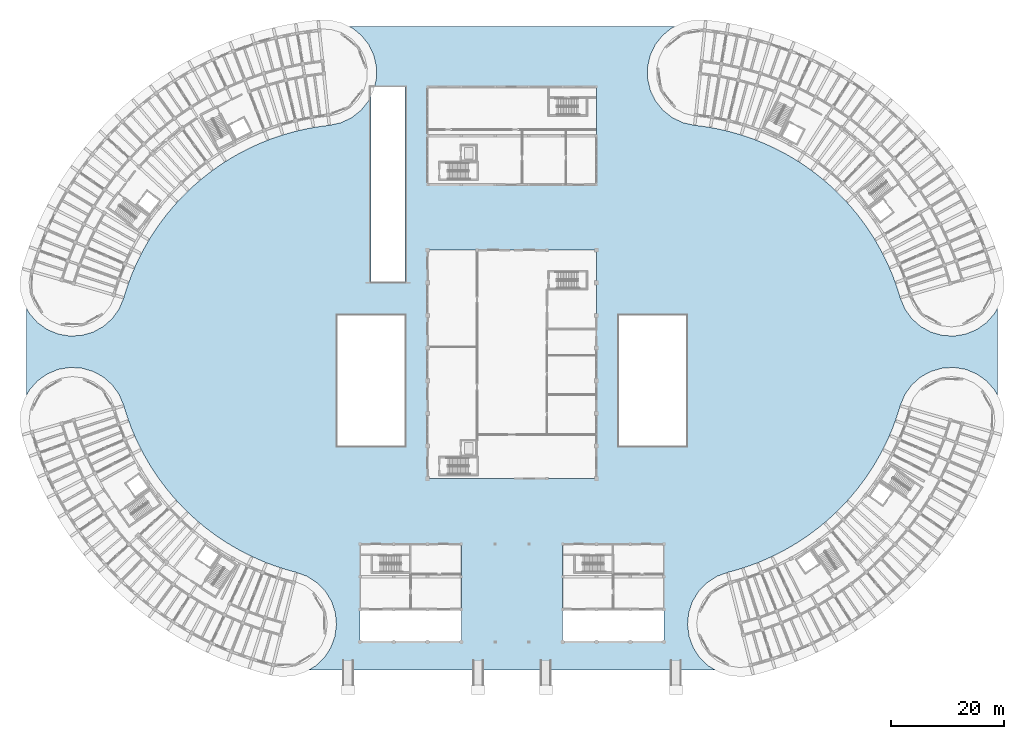
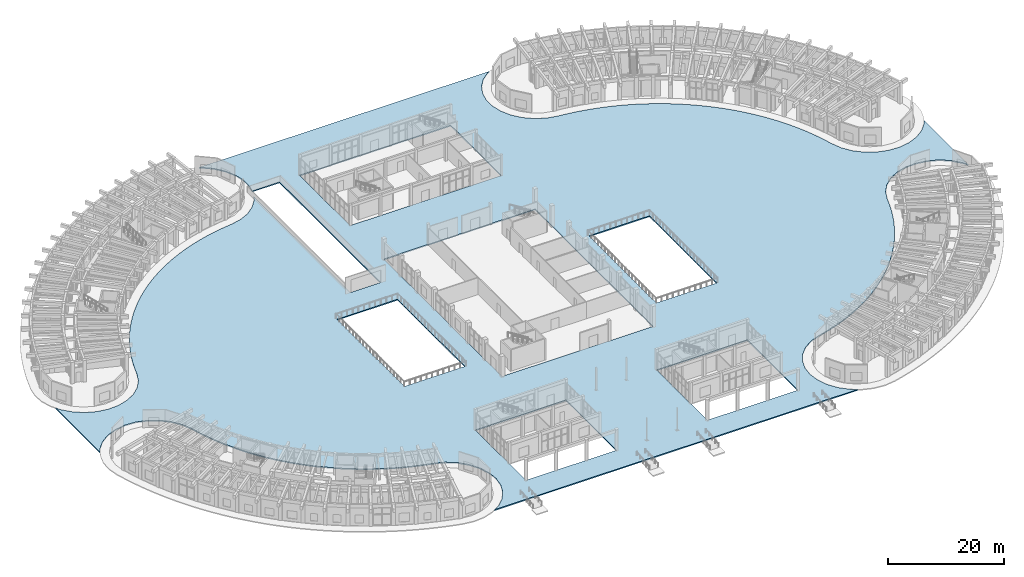
# One storey, part 74 of 132: 1 slab.
"""IFC4 building model written with IfcOpenShell, lengths in metres."""

from ifc_helpers import new_model, si_unit, direction, frame, origin, place, context, subcontext, project, spatial, polyline, outline, extrude, material, layer, layer_set, type_object, element, save


model = new_model("IFC4")

# Units and contexts
model_context = context("Model", 3, precision=1e-05, world=origin(), true_north=direction((0.0, 1.0)))
body_context = subcontext(model_context, "Body", "Model", "MODEL_VIEW")
ifc_project = project(units=[si_unit("LENGTHUNIT", "METRE"), si_unit("AREAUNIT", "SQUARE_METRE"), si_unit("VOLUMEUNIT", "CUBIC_METRE"), si_unit("PLANEANGLEUNIT", "RADIAN"), si_unit("MASSUNIT", "GRAM", prefix="KILO")], contexts=[model_context])

# Site, building, storey
site_placement = place(None, origin())
site = spatial("IfcSite", under=ifc_project, at=site_placement, CompositionType="ELEMENT")
building_placement = place(site_placement, origin())
building = spatial("IfcBuilding", under=site, at=building_placement, Name="Tanwirah Colonnade Gardens", CompositionType="ELEMENT")
storey_placement = place(building_placement, origin())
storey = spatial("IfcBuildingStorey", under=building, at=storey_placement, Name="L00", CompositionType="ELEMENT", Elevation=0.0)

# Slab
ifc_material = material(Name="Precast concrete C40/50", Category="concrete")
ifc_layer = layer(ifc_material, 0.22998046875)
ifc_layer_set = layer_set([ifc_layer], Name="Precast concrete C40/50")
slab_type = type_object("IfcSlabType", Name="SL-ARC-230", PredefinedType="FLOOR", material=ifc_layer_set)
slab_placement = place(storey_placement, frame((0.0, 0.0, -0.22998046875)))
element("IfcSlab", 1, at=slab_placement, inside=storey, type_object=slab_type, Name="Shaded Colonnade and Forecourt Deck Slab 1", PredefinedType="FLOOR", context=body_context, shape_type="SweptSolid", body=[
    extrude(outline(polyline([(10.471923828125, 66.292236328125), (8.753662109375, 67.508056640625), (8.7529296875, 67.5087890625), (8.751953125, 67.509521484375), (7.347412109375, 69.077392578125), (7.3466796875, 69.078369140625), (7.34619140625, 69.079345703125), (6.815673828125, 70.0361328125), (6.815673828125, 54.663818359375), (7.34619140625, 55.620849609375), (7.3466796875, 55.621826171875), (7.347412109375, 55.62255859375), (8.751953125, 57.1904296875), (8.7529296875, 57.191162109375), (8.753662109375, 57.19189453125), (10.471923828125, 58.40771484375), (10.472900390625, 58.408447265625), (10.473876953125, 58.408935546875), (12.419677734375, 59.2119140625), (12.420654296875, 59.21240234375), (12.421630859375, 59.212646484375), (14.497314453125, 59.5625), (14.49853515625, 59.562744140625), (14.49951171875, 59.562744140625), (16.60107421875, 59.442138671875), (16.602294921875, 59.44189453125), (16.603271484375, 59.441650390625), (18.625244140625, 58.8564453125), (18.626220703125, 58.85595703125), (18.627197265625, 58.85546875), (20.46826171875, 57.835205078125), (20.46923828125, 57.83447265625), (20.47021484375, 57.833740234375), (22.037841796875, 56.42919921875), (22.038818359375, 56.428466796875), (22.039306640625, 56.427490234375), (23.25537109375, 54.709228515625), (23.255859375, 54.70849609375), (23.25634765625, 54.707275390625), (24.0595703125, 52.76171875), (24.059814453125, 52.7607421875), (24.4658203125, 51.42724609375), (24.915283203125, 50.108154296875), (25.40771484375, 48.80419921875), (25.9423828125, 47.517333984375), (26.51904296875, 46.24853515625), (27.13671875, 44.999267578125), (27.795166015625, 43.770751953125), (28.4931640625, 42.564453125), (29.23046875, 41.3818359375), (30.006103515625, 40.223876953125), (30.819091796875, 39.091796875), (31.668701171875, 37.987060546875), (32.553955078125, 36.91064453125), (33.47412109375, 35.864013671875), (34.427978515625, 34.84765625), (35.41455078125, 33.86328125), (36.432861328125, 32.91162109375), (37.481689453125, 31.993896484375), (38.559814453125, 31.11083984375), (39.66650390625, 30.263671875), (40.80029296875, 29.453125), (41.9599609375, 28.68017578125), (43.144287109375, 27.945556640625), (44.35205078125, 27.25), (45.581787109375, 26.59423828125), (46.83251953125, 25.979248046875), (48.1025390625, 25.405517578125), (49.390625, 24.87353515625), (50.695556640625, 24.384033203125), (52.015869140625, 23.9375), (53.349853515625, 23.534423828125), (54.69677734375, 23.175048828125), (54.697509765625, 23.1748046875), (56.670166015625, 22.440185546875), (56.671142578125, 22.439697265625), (56.672119140625, 22.43896484375), (58.431884765625, 21.283935546875), (58.4326171875, 21.283203125), (58.43359375, 21.282470703125), (59.891845703125, 19.7646484375), (59.892578125, 19.763671875), (59.893310546875, 19.762939453125), (60.977294921875, 17.95849609375), (60.97802734375, 17.95751953125), (60.978271484375, 17.95654296875), (61.6337890625, 15.956298828125), (61.634033203125, 15.955078125), (61.63427734375, 15.9541015625), (61.828125, 13.858154296875), (61.828125, 13.85693359375), (61.828125, 13.855712890625), (61.55078125, 11.769287109375), (61.550537109375, 11.76806640625), (61.55029296875, 11.76708984375), (60.8154296875, 9.79443359375), (60.81494140625, 9.79345703125), (60.814453125, 9.79248046875), (59.6591796875, 8.032958984375), (59.65869140625, 8.031982421875), (59.657958984375, 8.03125), (58.14013671875, 6.57275390625), (58.13916015625, 6.572021484375), (58.13818359375, 6.5712890625), (56.930908203125, 5.845947265625), (129.069091796875, 5.845947265625), (127.86181640625, 6.5712890625), (127.86083984375, 6.572021484375), (127.85986328125, 6.57275390625), (126.342041015625, 8.03125), (126.34130859375, 8.031982421875), (126.3408203125, 8.032958984375), (125.185546875, 9.79248046875), (125.18505859375, 9.79345703125), (125.1845703125, 9.79443359375), (124.44970703125, 11.76708984375), (124.449462890625, 11.76806640625), (124.44921875, 11.769287109375), (124.171875, 13.855712890625), (124.171875, 13.85693359375), (124.171875, 13.858154296875), (124.36572265625, 15.9541015625), (124.365966796875, 15.955078125), (124.3662109375, 15.956298828125), (125.021728515625, 17.95654296875), (125.02197265625, 17.95751953125), (125.022705078125, 17.95849609375), (126.106689453125, 19.762939453125), (126.107421875, 19.763671875), (126.108154296875, 19.7646484375), (127.56640625, 21.282470703125), (127.5673828125, 21.283203125), (127.568115234375, 21.283935546875), (129.327880859375, 22.43896484375), (129.328857421875, 22.439697265625), (129.329833984375, 22.440185546875), (131.302490234375, 23.1748046875), (131.30322265625, 23.175048828125), (132.650146484375, 23.534423828125), (133.984130859375, 23.9375), (135.304443359375, 24.384033203125), (136.609375, 24.87353515625), (137.8974609375, 25.405517578125), (139.16748046875, 25.979248046875), (140.418212890625, 26.59423828125), (141.64794921875, 27.25), (142.855712890625, 27.945556640625), (144.0400390625, 28.68017578125), (145.19970703125, 29.453125), (146.33349609375, 30.263671875), (147.440185546875, 31.11083984375), (148.518310546875, 31.993896484375), (149.567138671875, 32.91162109375), (150.58544921875, 33.86328125), (151.572021484375, 34.84765625), (152.52587890625, 35.864013671875), (153.446044921875, 36.91064453125), (154.331298828125, 37.987060546875), (155.180908203125, 39.091796875), (155.993896484375, 40.223876953125), (156.76953125, 41.3818359375), (157.5068359375, 42.564453125), (158.204833984375, 43.770751953125), (158.86328125, 44.999267578125), (159.48095703125, 46.24853515625), (160.0576171875, 47.517333984375), (160.59228515625, 48.80419921875), (161.084716796875, 50.108154296875), (161.5341796875, 51.42724609375), (161.940185546875, 52.7607421875), (161.9404296875, 52.76171875), (162.74365234375, 54.707275390625), (162.744140625, 54.70849609375), (162.74462890625, 54.709228515625), (163.960693359375, 56.427490234375), (163.961181640625, 56.428466796875), (163.962158203125, 56.42919921875), (165.52978515625, 57.833740234375), (165.53076171875, 57.83447265625), (165.53173828125, 57.835205078125), (167.372802734375, 58.85546875), (167.373779296875, 58.85595703125), (167.374755859375, 58.8564453125), (169.396728515625, 59.441650390625), (169.397705078125, 59.44189453125), (169.39892578125, 59.442138671875), (171.50048828125, 59.562744140625), (171.50146484375, 59.562744140625), (171.502685546875, 59.5625), (173.578369140625, 59.212646484375), (173.579345703125, 59.21240234375), (173.580322265625, 59.2119140625), (175.526123046875, 58.408935546875), (175.527099609375, 58.408447265625), (175.528076171875, 58.40771484375), (177.246337890625, 57.19189453125), (177.2470703125, 57.191162109375), (177.248046875, 57.1904296875), (178.652587890625, 55.62255859375), (178.6533203125, 55.621826171875), (178.65380859375, 55.620849609375), (179.184326171875, 54.663818359375), (179.184326171875, 70.0361328125), (178.65380859375, 69.079345703125), (178.6533203125, 69.078369140625), (178.652587890625, 69.077392578125), (177.248046875, 67.509521484375), (177.2470703125, 67.5087890625), (177.246337890625, 67.508056640625), (175.528076171875, 66.292236328125), (175.527099609375, 66.29150390625), (175.526123046875, 66.291015625), (173.580322265625, 65.488037109375), (173.579345703125, 65.487548828125), (173.578369140625, 65.4873046875), (171.502685546875, 65.137451171875), (171.50146484375, 65.13720703125), (171.50048828125, 65.13720703125), (169.39892578125, 65.258056640625), (169.397705078125, 65.258056640625), (169.396728515625, 65.25830078125), (167.374755859375, 65.843505859375), (167.373779296875, 65.843994140625), (167.372802734375, 65.844482421875), (165.53173828125, 66.864990234375), (165.53076171875, 66.865478515625), (165.52978515625, 66.8662109375), (163.962158203125, 68.270751953125), (163.961181640625, 68.271484375), (163.960693359375, 68.2724609375), (162.74462890625, 69.99072265625), (162.744140625, 69.99169921875), (162.74365234375, 69.99267578125), (161.9404296875, 71.938232421875), (161.940185546875, 71.939208984375), (161.531005859375, 73.282470703125), (161.07763671875, 74.611328125), (160.580810546875, 75.924560546875), (160.041015625, 77.220703125), (159.458984375, 78.498291015625), (158.834716796875, 79.755859375), (158.169677734375, 80.992431640625), (157.464111328125, 82.206298828125), (156.718994140625, 83.396240234375), (155.93505859375, 84.56103515625), (155.113037109375, 85.69921875), (154.25390625, 86.809814453125), (153.35888671875, 87.891357421875), (152.428466796875, 88.94287109375), (151.464111328125, 89.963134765625), (150.466552734375, 90.951171875), (149.436767578125, 91.90576171875), (148.376220703125, 92.825927734375), (147.2861328125, 93.71044921875), (146.167236328125, 94.55859375), (145.02099609375, 95.36962890625), (143.8486328125, 96.142333984375), (142.651611328125, 96.875732421875), (141.430908203125, 97.569580078125), (140.188232421875, 98.22265625), (138.92431640625, 98.83447265625), (137.641357421875, 99.404296875), (136.340087890625, 99.931396484375), (135.02197265625, 100.41552734375), (133.68896484375, 100.85595703125), (132.341796875, 101.251953125), (130.982666015625, 101.603515625), (129.612548828125, 101.91015625), (128.23291015625, 102.17138671875), (126.845703125, 102.386962890625), (125.45166015625, 102.556640625), (125.45068359375, 102.556884765625), (123.395263671875, 103.010009765625), (123.39404296875, 103.01025390625), (123.39306640625, 103.010498046875), (121.48974609375, 103.90966796875), (121.48876953125, 103.91015625), (121.48779296875, 103.910888671875), (119.83251953125, 105.2109375), (119.83154296875, 105.211669921875), (119.830810546875, 105.21240234375), (118.506103515625, 106.848388671875), (118.50537109375, 106.849365234375), (118.5048828125, 106.850341796875), (117.577392578125, 108.73974609375), (117.5771484375, 108.740966796875), (117.57666015625, 108.741943359375), (117.093017578125, 110.79052734375), (117.0927734375, 110.791748046875), (117.0927734375, 110.792724609375), (117.076904296875, 112.897705078125), (117.0771484375, 112.898681640625), (117.0771484375, 112.89990234375), (117.5302734375, 114.95556640625), (117.530517578125, 114.95654296875), (117.531005859375, 114.95751953125), (118.429931640625, 116.86083984375), (118.4306640625, 116.86181640625), (118.43115234375, 116.86279296875), (119.731201171875, 118.518310546875), (119.73193359375, 118.51904296875), (119.73291015625, 118.519775390625), (121.36865234375, 119.844482421875), (121.36962890625, 119.84521484375), (121.37060546875, 119.845703125), (121.832275390625, 120.072265625), (64.167724609375, 120.072265625), (64.62939453125, 119.845703125), (64.63037109375, 119.84521484375), (64.63134765625, 119.844482421875), (66.26708984375, 118.519775390625), (66.26806640625, 118.51904296875), (66.268798828125, 118.518310546875), (67.56884765625, 116.86279296875), (67.5693359375, 116.86181640625), (67.570068359375, 116.86083984375), (68.468994140625, 114.95751953125), (68.469482421875, 114.95654296875), (68.4697265625, 114.95556640625), (68.9228515625, 112.89990234375), (68.9228515625, 112.898681640625), (68.923095703125, 112.897705078125), (68.9072265625, 110.792724609375), (68.9072265625, 110.791748046875), (68.906982421875, 110.79052734375), (68.57861328125, 109.39990234375), (74.0, 109.39990234375), (74.0, 74.60009765625), (68.0, 74.60009765625), (68.0, 107.87890625), (67.4951171875, 106.850341796875), (67.49462890625, 106.849365234375), (67.493896484375, 106.848388671875), (66.169189453125, 105.21240234375), (66.16845703125, 105.211669921875), (66.16748046875, 105.2109375), (64.51220703125, 103.910888671875), (64.51123046875, 103.91015625), (64.51025390625, 103.90966796875), (62.60693359375, 103.010498046875), (62.60595703125, 103.01025390625), (62.604736328125, 103.010009765625), (60.54931640625, 102.556884765625), (60.54833984375, 102.556640625), (59.154296875, 102.386962890625), (57.76708984375, 102.17138671875), (56.387451171875, 101.91015625), (55.017333984375, 101.603515625), (53.658203125, 101.251953125), (52.31103515625, 100.85595703125), (50.97802734375, 100.41552734375), (49.659912109375, 99.931396484375), (48.358642578125, 99.404296875), (47.07568359375, 98.83447265625), (45.811767578125, 98.22265625), (44.569091796875, 97.569580078125), (43.348388671875, 96.875732421875), (42.1513671875, 96.142333984375), (40.97900390625, 95.36962890625), (39.832763671875, 94.55859375), (38.7138671875, 93.71044921875), (37.623779296875, 92.825927734375), (36.563232421875, 91.90576171875), (35.533447265625, 90.951171875), (34.535888671875, 89.963134765625), (33.571533203125, 88.94287109375), (32.64111328125, 87.891357421875), (31.74609375, 86.809814453125), (30.886962890625, 85.69921875), (30.06494140625, 84.56103515625), (29.281005859375, 83.396240234375), (28.535888671875, 82.206298828125), (27.830322265625, 80.992431640625), (27.165283203125, 79.755859375), (26.541015625, 78.498291015625), (25.958984375, 77.220703125), (25.419189453125, 75.924560546875), (24.92236328125, 74.611328125), (24.468994140625, 73.282470703125), (24.059814453125, 71.939208984375), (24.0595703125, 71.938232421875), (23.25634765625, 69.99267578125), (23.255859375, 69.99169921875), (23.25537109375, 69.99072265625), (22.039306640625, 68.2724609375), (22.038818359375, 68.271484375), (22.037841796875, 68.270751953125), (20.47021484375, 66.8662109375), (20.46923828125, 66.865478515625), (20.46826171875, 66.864990234375), (18.627197265625, 65.844482421875), (18.626220703125, 65.843994140625), (18.625244140625, 65.843505859375), (16.603271484375, 65.25830078125), (16.602294921875, 65.258056640625), (16.60107421875, 65.258056640625), (14.49951171875, 65.13720703125), (14.49853515625, 65.13720703125), (14.497314453125, 65.137451171875), (12.421630859375, 65.4873046875), (12.420654296875, 65.487548828125), (12.419677734375, 65.488037109375), (10.473876953125, 66.291015625), (10.472900390625, 66.29150390625), (10.471923828125, 66.292236328125)]), holes=[polyline([(78.0, 80.39990234375), (108.0, 80.39990234375), (108.0, 39.800048828125), (78.0, 39.800048828125), (78.0, 80.39990234375)]), polyline([(108.0, 109.39990234375), (108.0, 92.0), (78.0, 92.0), (78.0, 109.39990234375), (108.0, 109.39990234375)]), polyline([(84.0, 10.800048828125), (66.0, 10.800048828125), (66.0, 28.199951171875), (84.0, 28.199951171875), (84.0, 10.800048828125)]), polyline([(102.0, 10.800048828125), (102.0, 28.199951171875), (120.0, 28.199951171875), (120.0, 10.800048828125), (102.0, 10.800048828125)]), polyline([(62.0, 68.800048828125), (74.0, 68.800048828125), (74.0, 45.60009765625), (62.0, 45.60009765625), (62.0, 68.800048828125)]), polyline([(124.0, 68.800048828125), (124.0, 45.60009765625), (112.0, 45.60009765625), (112.0, 68.800048828125), (124.0, 68.800048828125)])]), origin(), (0.0, 0.0, 1.0), 0.22998046875),
])

save(model, "model.ifc")
